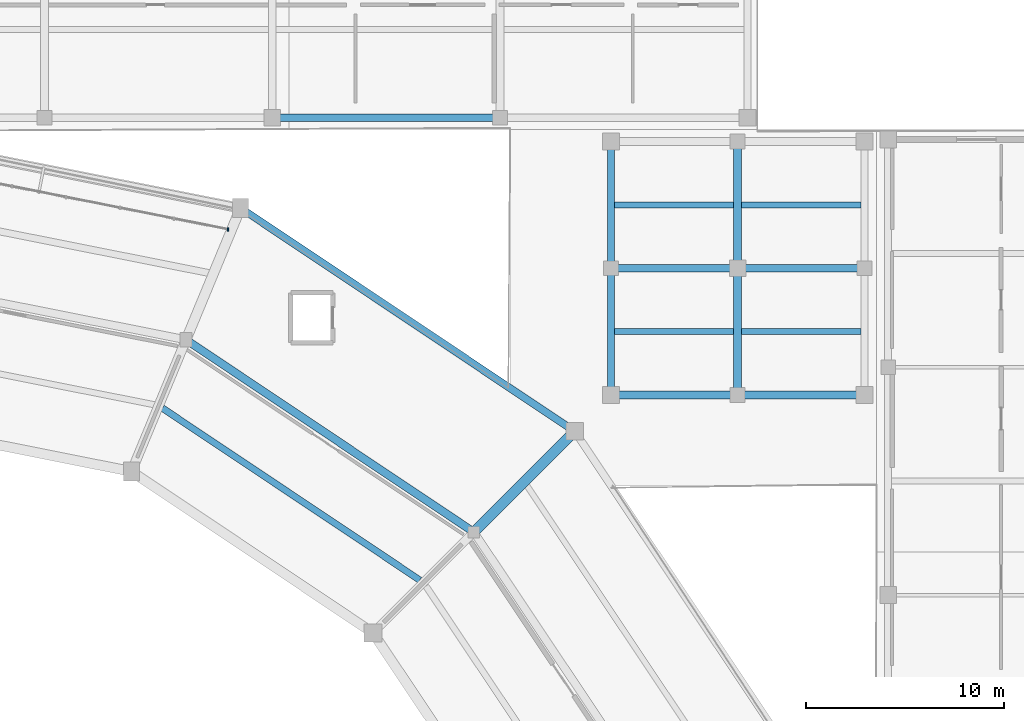
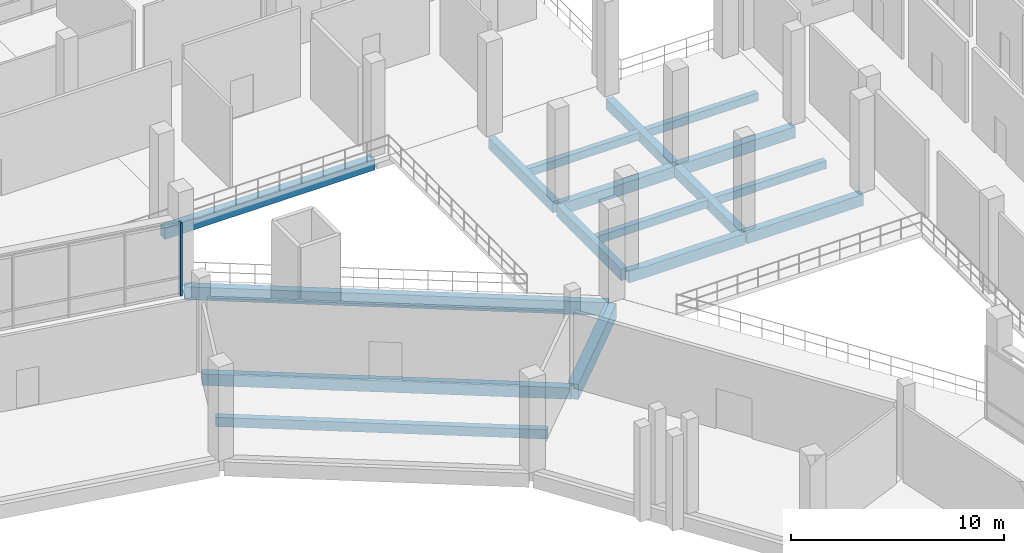
# One storey, part 57 of 114: 17 beams, 1 member, 1 element without a shape of its own.
"""IFC4 building model written with IfcOpenShell, lengths in metres."""

from ifc_helpers import new_model, si_unit, direction, frame, origin, origin_2d, place, context, subcontext, project, spatial, rectangle, extrude, material, material_profile, profile_set, type_object, element, aggregate, save


model = new_model("IFC4")

# Units and contexts
model_context = context("Model", 3, precision=1e-05, world=origin(), true_north=direction((0.0, 1.0)))
body_context = subcontext(model_context, "Body", "Model", "MODEL_VIEW")
ifc_project = project(units=[si_unit("LENGTHUNIT", "METRE"), si_unit("AREAUNIT", "SQUARE_METRE"), si_unit("VOLUMEUNIT", "CUBIC_METRE"), si_unit("PLANEANGLEUNIT", "RADIAN"), si_unit("MASSUNIT", "GRAM", prefix="KILO")], contexts=[model_context])

# Site, building, storey
site_placement = place(None, origin())
site = spatial("IfcSite", under=ifc_project, at=site_placement, CompositionType="ELEMENT")
building_placement = place(site_placement, origin())
building = spatial("IfcBuilding", under=site, at=building_placement, Name="Candeia Ridge Stadium", CompositionType="ELEMENT")
storey_placement = place(building_placement, frame((0.0, 0.0, 5.39990234375)))
storey = spatial("IfcBuildingStorey", under=building, at=storey_placement, Name="L01", CompositionType="ELEMENT", Elevation=5.39990234375)

# Curtain wall, member
ifc_material_1 = material(Name="Aluminium Anodized Warm Bronze", Category="aluminium")
curtain_wall_type = type_object("IfcCurtainWallType", Name="Concourse Recessed Unitised Curtain Wall", PredefinedType="NOTDEFINED", material=ifc_material_1)
curtain_wall_placement = place(storey_placement, origin())
curtain_wall = element("IfcCurtainWall", 1, at=curtain_wall_placement, inside=storey, type_object=curtain_wall_type, Name="Unitised curtain wall CW-BWL-L01-35", PredefinedType="NOTDEFINED")
ifc_material_profile_1 = material_profile(ifc_material_1, rectangle(XDim=0.090087890625, YDim=0.179931640625, at=origin_2d()), Name="CWM-90x180", Category="aluminium")
ifc_profile_set_1 = profile_set([ifc_material_profile_1], Name="Aluminium Anodized Warm Bronze")
member_type = type_object("IfcMemberType", Name="Curtain Wall Primary Mullion 90x180", PredefinedType="MULLION", material=ifc_profile_set_1)
member_placement = place(storey_placement, frame((160.263916015625, 141.96826171875, 0.0), z_axis=(0.0, 0.0, 1.0), x_axis=(1.0, 0.0, 0.0)))
member = element("IfcMember", 2, at=member_placement, type_object=member_type, Name="Curtain wall mullion CW-BWL-L01-35-M0", PredefinedType="MULLION", context=body_context, shape_type="SweptSolid", body=[
    extrude(rectangle(XDim=0.090087890625, YDim=0.179931640625, at=origin_2d()), origin(), (0.0, 0.0, 1.0), 4.205078125),
])
aggregate(curtain_wall, [member])

# Beams
ifc_material_2 = material(Name="Concrete C40/50", Category="concrete")
ifc_material_profile_2 = material_profile(ifc_material_2, rectangle(XDim=0.300048828125, YDim=0.449951171875, at=origin_2d()), Name="RC300x450", Category="concrete")
ifc_profile_set_2 = profile_set([ifc_material_profile_2], Name="Concrete C40/50")
beam_type_1 = type_object("IfcBeamType", Name="Floor Joist RC300x450", PredefinedType="JOIST", material=ifc_profile_set_2)
for number, where, z_axis, x_axis, name in (
    (3, (179.7744140625, 136.800048828125, -0.48486328125), (1.0, 0.0, 0.0), (0.0, 1.0, 0.0), "Wing secondary joist BM-L01-2099"),
    (4, (179.7744140625, 143.199951171875, -0.48486328125), (1.0, 0.0, 0.0), (0.0, 1.0, 0.0), "Wing secondary joist BM-L01-2101"),
    (5, (186.199462890625, 136.800048828125, -0.48486328125), (1.0, 0.0, 0.0), (0.0, 1.0, 0.0), "Wing secondary joist BM-L01-2104"),
    (6, (186.199462890625, 143.199951171875, -0.48486328125), (1.0, 0.0, 0.0), (0.0, 1.0, 0.0), "Wing secondary joist BM-L01-2106"),
):
    element("IfcBeam", number, at=place(storey_placement, frame(where, z_axis=z_axis, x_axis=x_axis)), inside=storey, type_object=beam_type_1, Name=name, PredefinedType="JOIST", context=body_context, shape_type="SweptSolid", body=[
        extrude(rectangle(XDim=0.300048828125, YDim=0.449951171875, at=origin_2d()), origin(), (0.0, 0.0, 1.0), 6.026123046875),
    ])
ifc_material_profile_3 = material_profile(ifc_material_2, rectangle(XDim=0.330078125, YDim=0.530029296875, at=origin_2d()), Name="RC330x530", Category="concrete")
ifc_profile_set_3 = profile_set([ifc_material_profile_3], Name="Concrete C40/50")
beam_type_2 = type_object("IfcBeamType", Name="Floor Joist RC330x530", PredefinedType="JOIST", material=ifc_profile_set_3)
beam_1_placement = place(storey_placement, frame((169.9482421875, 124.256103515625, -0.52490234375), z_axis=(-0.831470752017, 0.555568527312, 0.0), x_axis=(-0.555568527312, -0.831470752017, 0.0)))
element("IfcBeam", 7, at=beam_1_placement, inside=storey, type_object=beam_type_2, Name="Concourse secondary joist BM-L01-0235", PredefinedType="JOIST", context=body_context, shape_type="SweptSolid", body=[
    extrude(rectangle(XDim=0.330078125, YDim=0.530029296875, at=origin_2d()), origin(), (0.0, 0.0, 1.0), 15.63134765625),
])
ifc_material_profile_4 = material_profile(ifc_material_2, rectangle(XDim=0.39990234375, YDim=0.60009765625, at=origin_2d()), Name="RC400x600", Category="concrete")
ifc_profile_set_4 = profile_set([ifc_material_profile_4], Name="Concrete C40/50")
beam_type_3 = type_object("IfcBeamType", Name="Frame Girder RC400x600", PredefinedType="BEAM", material=ifc_profile_set_4)
for number, where, z_axis, x_axis, name in (
    (8, (186.0, 133.760009765625, -0.559814453125), (0.0, 1.0, 0.0), (-1.0, 0.0, 0.0), "Structural girder BM-L01-2094"),
    (9, (186.0, 140.159912109375, -0.559814453125), (0.0, 1.0, 0.0), (-1.0, 0.0, 0.0), "Structural girder BM-L01-2095"),
):
    element("IfcBeam", number, at=place(storey_placement, frame(where, z_axis=z_axis, x_axis=x_axis)), inside=storey, type_object=beam_type_3, Name=name, PredefinedType="BEAM", context=body_context, shape_type="SweptSolid", body=[
        extrude(rectangle(XDim=0.39990234375, YDim=0.60009765625, at=origin_2d()), origin(), (0.0, 0.0, 1.0), 6.080078125),
    ])
ifc_material_3 = material(Name="Concrete C45/55", Category="concrete")
ifc_material_profile_5 = material_profile(ifc_material_3, rectangle(XDim=0.52001953125, YDim=0.8798828125, at=origin_2d()), Name="RC520x880", Category="concrete")
ifc_profile_set_5 = profile_set([ifc_material_profile_5], Name="Concrete C45/55")
beam_type_4 = type_object("IfcBeamType", Name="Frame Girder RC520x880", PredefinedType="BEAM", material=ifc_profile_set_5)
beam_2_placement = place(storey_placement, frame((172.79150390625, 126.79150390625, -0.699951171875), z_axis=(0.707106781187, 0.707106781187, 0.0), x_axis=(-0.707106781187, 0.707106781187, 0.0)))
element("IfcBeam", 10, at=beam_2_placement, inside=storey, type_object=beam_type_4, Name="Bowl radial girder BM-L01-0070", PredefinedType="BEAM", context=body_context, shape_type="SweptSolid", body=[
    extrude(rectangle(XDim=0.52001953125, YDim=0.8798828125, at=origin_2d()), origin(), (0.0, 0.0, 1.0), 6.880126953125),
])
ifc_material_profile_6 = material_profile(ifc_material_2, rectangle(XDim=0.35009765625, YDim=0.64990234375, at=origin_2d()), Name="RC350x650", Category="concrete")
ifc_profile_set_6 = profile_set([ifc_material_profile_6], Name="Concrete C40/50")
beam_type_5 = type_object("IfcBeamType", Name="Spandrel Beam RC350x650", PredefinedType="SPANDREL", material=ifc_profile_set_6)
for number, where, z_axis, x_axis, name in (
    (11, (179.60009765625, 133.760009765625, -0.5849609375), (0.0, 1.0, 0.0), (-1.0, 0.0, 0.0), "Structural girder BM-L01-2092"),
    (12, (179.60009765625, 140.159912109375, -0.5849609375), (0.0, 1.0, 0.0), (-1.0, 0.0, 0.0), "Structural girder BM-L01-2093"),
):
    element("IfcBeam", number, at=place(storey_placement, frame(where, z_axis=z_axis, x_axis=x_axis)), inside=storey, type_object=beam_type_5, Name=name, PredefinedType="SPANDREL", context=body_context, shape_type="SweptSolid", body=[
        extrude(rectangle(XDim=0.35009765625, YDim=0.64990234375, at=origin_2d()), origin(), (0.0, 0.0, 1.0), 6.080078125),
    ])
ifc_material_profile_7 = material_profile(ifc_material_3, rectangle(XDim=0.3701171875, YDim=0.739990234375, at=origin_2d()), Name="RC370x740", Category="concrete")
ifc_profile_set_7 = profile_set([ifc_material_profile_7], Name="Concrete C45/55")
beam_type_6 = type_object("IfcBeamType", Name="Spandrel Beam RC370x740", PredefinedType="SPANDREL", material=ifc_profile_set_7)
beam_3_placement = place(storey_placement, frame((177.636474609375, 131.8583984375, -0.6298828125), z_axis=(-0.831468647505, 0.555571676938, 0.0), x_axis=(-0.555571676938, -0.831468647505, 0.0)))
element("IfcBeam", 13, at=beam_3_placement, inside=storey, type_object=beam_type_6, Name="Bowl perimeter spandrel BM-L01-0234", PredefinedType="SPANDREL", context=body_context, shape_type="SweptSolid", body=[
    extrude(rectangle(XDim=0.3701171875, YDim=0.739990234375, at=origin_2d()), origin(), (0.0, 0.0, 1.0), 19.969482421875),
])
ifc_material_profile_8 = material_profile(ifc_material_2, rectangle(XDim=0.39990234375, YDim=0.64990234375, at=origin_2d()), Name="RC400x650", Category="concrete")
ifc_profile_set_8 = profile_set([ifc_material_profile_8], Name="Concrete C40/50")
beam_type_7 = type_object("IfcBeamType", Name="Wing Primary Girder RC400x650", PredefinedType="BEAM", material=ifc_profile_set_8)
beam_4_placement = place(storey_placement, frame((172.63671875, 126.7060546875, -0.5849609375), z_axis=(-0.831464172962, 0.555578373482, 0.0), x_axis=(-0.555578373482, -0.831464172962, 0.0)))
element("IfcBeam", 14, at=beam_4_placement, inside=storey, type_object=beam_type_7, Name="Concourse spine girder BM-L01-0233", PredefinedType="BEAM", context=body_context, shape_type="SweptSolid", body=[
    extrude(rectangle(XDim=0.39990234375, YDim=0.64990234375, at=origin_2d()), origin(), (0.0, 0.0, 1.0), 17.380126953125),
])
beam_5_placement = place(storey_placement, frame((162.550048828125, 147.60009765625, -0.5849609375), z_axis=(1.0, 0.0, 0.0), x_axis=(0.0, 1.0, 0.0)))
element("IfcBeam", 15, at=beam_5_placement, inside=storey, type_object=beam_type_7, Name="Structural girder BM-L01-1604", PredefinedType="BEAM", context=body_context, shape_type="SweptSolid", body=[
    extrude(rectangle(XDim=0.39990234375, YDim=0.64990234375, at=origin_2d()), origin(), (0.0, 0.0, 1.0), 11.39990234375),
])
for number, where, z_axis, x_axis, name in (
    (16, (179.64990234375, 133.60009765625, -0.5849609375), (1.0, 0.0, 0.0), (0.0, 1.0, 0.0), "Structural girder BM-L01-2098"),
    (17, (179.64990234375, 140.0, -0.5849609375), (1.0, 0.0, 0.0), (0.0, 1.0, 0.0), "Structural girder BM-L01-2100"),
    (18, (186.050048828125, 133.60009765625, -0.5849609375), (1.0, 0.0, 0.0), (0.0, 1.0, 0.0), "Structural girder BM-L01-2103"),
    (19, (186.050048828125, 140.0, -0.5849609375), (1.0, 0.0, 0.0), (0.0, 1.0, 0.0), "Structural girder BM-L01-2105"),
):
    element("IfcBeam", number, at=place(storey_placement, frame(where, z_axis=z_axis, x_axis=x_axis)), inside=storey, type_object=beam_type_7, Name=name, PredefinedType="BEAM", context=body_context, shape_type="SweptSolid", body=[
        extrude(rectangle(XDim=0.39990234375, YDim=0.64990234375, at=origin_2d()), origin(), (0.0, 0.0, 1.0), 6.300048828125),
    ])

save(model, "model.ifc")
